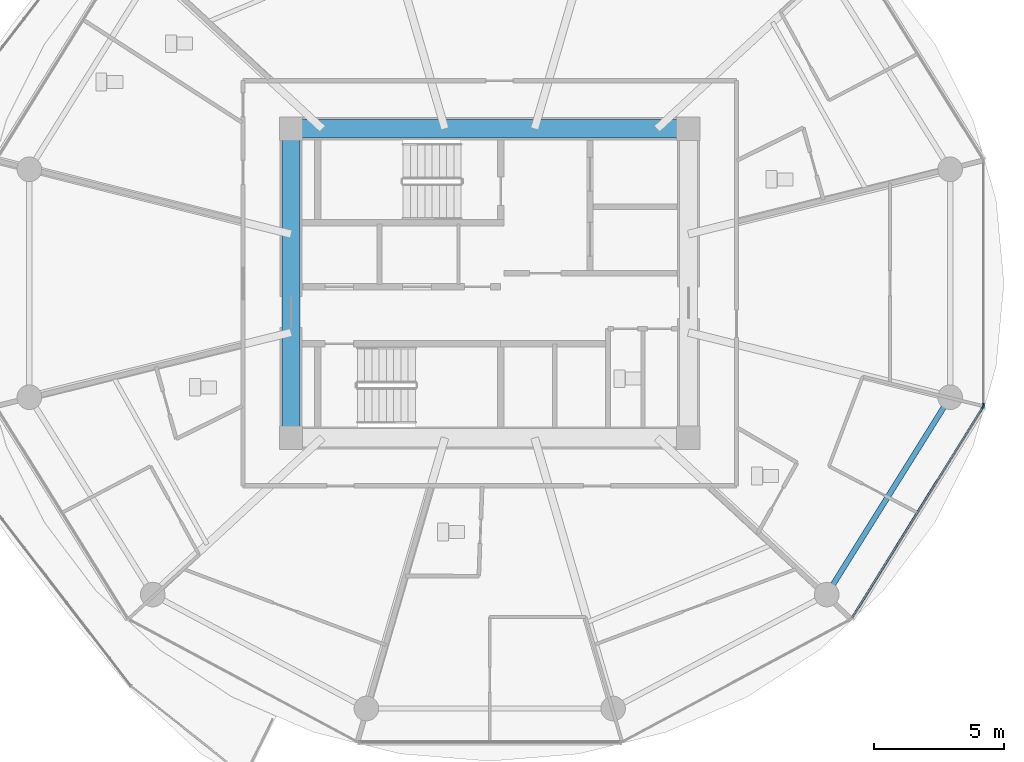
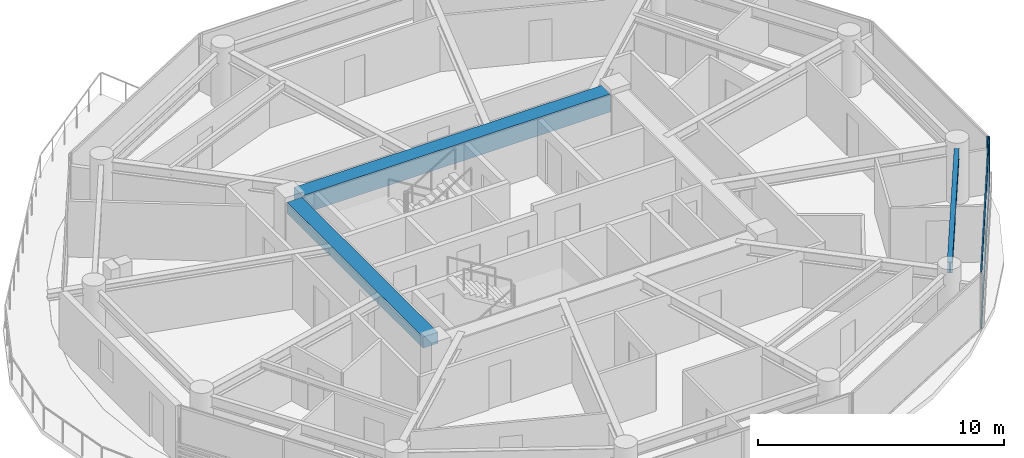
# One storey, part 11 of 26: 4 members, 3 beams, 2 elements without a shape of their own.
"""IFC4 building model written with IfcOpenShell, lengths in metres."""

from ifc_helpers import new_model, si_unit, direction, frame, origin, origin_2d, place, context, subcontext, project, spatial, rectangle, i_section, extrude, source, transform, mapped, material, layer, layer_set, material_profile, profile_set, type_object, type_shapes, element, aggregate, save


model = new_model("IFC4")

# Units and contexts
model_context = context("Model", 3, precision=1e-05, world=origin(), true_north=direction((0.0, 1.0)))
body_context = subcontext(model_context, "Body", "Model", "MODEL_VIEW")
ifc_project = project(units=[si_unit("LENGTHUNIT", "METRE"), si_unit("AREAUNIT", "SQUARE_METRE"), si_unit("VOLUMEUNIT", "CUBIC_METRE"), si_unit("PLANEANGLEUNIT", "RADIAN"), si_unit("MASSUNIT", "GRAM", prefix="KILO")], contexts=[model_context])

# Site, building, storey
site_placement = place(None, origin())
site = spatial("IfcSite", under=ifc_project, at=site_placement, CompositionType="ELEMENT")
building_placement = place(site_placement, origin())
building = spatial("IfcBuilding", under=site, at=building_placement, Name="Norrkilde Senior Care Towers", CompositionType="ELEMENT")
storey_placement = place(building_placement, frame((0.0, 0.0, 67.35009765625)))
storey = spatial("IfcBuildingStorey", under=building, at=storey_placement, Name="L20", CompositionType="ELEMENT", Elevation=67.35009765625)

# Beams
ifc_material_1 = material(Name="Concrete C60/75", Category="concrete")
ifc_material_profile_1 = material_profile(ifc_material_1, rectangle(XDim=0.699951171875, YDim=0.89990234375, at=origin_2d()), Name="RC BM 700x900")
ifc_profile_set_1 = profile_set([ifc_material_profile_1], Name="Concrete C60/75")
beam_type_1 = type_object("IfcBeamType", Name="Core Coupling Girder 700x900", PredefinedType="USERDEFINED", material=ifc_profile_set_1)
shared_shape_1 = source(origin(), body_context, "Body", "SweptSolid", [
    extrude(rectangle(XDim=0.699951171875, YDim=0.89990234375, at=origin_2d()), origin(), (0.0, 0.0, 1.0), 14.43994140625),
])
type_shapes(beam_type_1, [shared_shape_1])
beam_1_placement = place(storey_placement, frame((20.780029296875, 5.949951171875, 2.33984375), z_axis=(1.0, 0.0, 0.0), x_axis=(0.0, 1.0, 0.0)))
element("IfcBeam", 1, at=beam_1_placement, inside=storey, type_object=beam_type_1, Name="L20 Core E N Coupling Girder", ObjectType="GIRDER", PredefinedType="USERDEFINED", context=body_context, shape_type="MappedRepresentation", body=[
    mapped(shared_shape_1, transform((0.0, 0.0, 0.0), x_axis=(1.0, 0.0, 0.0), y_axis=(0.0, 1.0, 0.0), z_axis=(0.0, 0.0, 1.0), scale=1.0)),
])
ifc_material_profile_2 = material_profile(ifc_material_1, rectangle(XDim=0.699951171875, YDim=0.550048828125, at=origin_2d()), Name="RC BM 700x550")
ifc_profile_set_2 = profile_set([ifc_material_profile_2], Name="Concrete C60/75")
beam_type_2 = type_object("IfcBeamType", Name="Core Portal Coupling Beam 700x550", PredefinedType="USERDEFINED", material=ifc_profile_set_2)
shared_shape_2 = source(origin(), body_context, "Body", "SweptSolid", [
    extrude(rectangle(XDim=0.699951171875, YDim=0.550048828125, at=origin_2d()), origin(), (0.0, 0.0, 1.0), 11.0400390625),
])
type_shapes(beam_type_2, [shared_shape_2])
beam_2_placement = place(storey_placement, frame((20.35009765625, -5.52001953125, 2.514892578125), z_axis=(0.0, 1.0, 0.0), x_axis=(-1.0, 0.0, 0.0)))
element("IfcBeam", 2, at=beam_2_placement, inside=storey, type_object=beam_type_2, Name="L20 Core E W Coupling Girder", ObjectType="GIRDER", PredefinedType="USERDEFINED", context=body_context, shape_type="MappedRepresentation", body=[
    mapped(shared_shape_2, transform((0.0, 0.0, 0.0), x_axis=(1.0, 0.0, 0.0), y_axis=(0.0, 1.0, 0.0), z_axis=(0.0, 0.0, 1.0), scale=1.0)),
])
ifc_material_2 = material(Name="Steel S355", Category="steel")
ifc_material_profile_3 = material_profile(ifc_material_2, i_section(OverallWidth=0.2099609375, OverallDepth=0.550048828125, WebThickness=0.010986328125, FlangeThickness=0.01708984375, FilletRadius=0.02392578125, at=origin_2d()), Name="IPE 550")
ifc_profile_set_3 = profile_set([ifc_material_profile_3], Name="Steel S355")
beam_type_3 = type_object("IfcBeamType", Name="Perimeter Ring Spandrel Z1 IPE550", PredefinedType="SPANDREL", material=ifc_profile_set_3)
shared_shape_3 = source(origin(), body_context, "Body", "SweptSolid", [
    extrude(i_section(OverallWidth=0.2099609375, OverallDepth=0.550048828125, WebThickness=0.010986328125, FlangeThickness=0.01708984375, FilletRadius=0.02392578125, at=origin_2d()), origin(), (0.0, 0.0, 1.0), 8.090576171875),
])
type_shapes(beam_type_3, [shared_shape_3])
beam_3_placement = place(storey_placement, frame((41.2060546875, -11.61669921875, 2.514892578125), z_axis=(0.530004364821, 0.84799491347, 0.0), x_axis=(-0.84799491347, 0.530004364821, 0.0)))
element("IfcBeam", 3, at=beam_3_placement, inside=storey, type_object=beam_type_3, Name="L20 Drum E Perimeter Spandrel 11", PredefinedType="SPANDREL", context=body_context, shape_type="MappedRepresentation", body=[
    mapped(shared_shape_3, transform((0.0, 0.0, 0.0), x_axis=(1.0, 0.0, 0.0), y_axis=(0.0, 1.0, 0.0), z_axis=(0.0, 0.0, 1.0), scale=1.0)),
])

# Curtain wall, member
ifc_material_3 = material(Name="Triple Low-E Insulated Glazing", Category="glass")
ifc_layer = layer(ifc_material_3, 0.199951171875)
ifc_layer_set = layer_set([ifc_layer], Name="Triple Low-E Insulated Glazing")
curtain_wall_type = type_object("IfcCurtainWallType", Name="CW2 Zone 1 Memory Care Curtain Wall", PredefinedType="NOTDEFINED", material=ifc_layer_set)
curtain_wall_1_placement = place(storey_placement, origin())
curtain_wall_1 = element("IfcCurtainWall", 4, at=curtain_wall_1_placement, inside=storey, type_object=curtain_wall_type, Name="L20 Drum E Curtain Wall 10", PredefinedType="NOTDEFINED")
ifc_material_4 = material(Name="Anodised Aluminium", Category="aluminium")
ifc_material_profile_4 = material_profile(ifc_material_4, rectangle(XDim=0.06494140625, YDim=0.159912109375, at=origin_2d()), Name="ALU MULL 65x160")
ifc_profile_set_4 = profile_set([ifc_material_profile_4], Name="Anodised Aluminium")
member_type_1 = type_object("IfcMemberType", Name="Curtain Wall Mullion Z1-Z2 65x160", PredefinedType="MULLION", material=ifc_profile_set_4)
shared_shape_4 = source(origin(), body_context, "Body", "SweptSolid", [
    extrude(rectangle(XDim=0.06494140625, YDim=0.159912109375, at=origin_2d()), origin(), (0.0, 0.0, 1.0), 2.789794921875),
])
type_shapes(member_type_1, [shared_shape_4])
member_1_placement = place(storey_placement, frame((46.9921875, -4.7587890625, 0.0), z_axis=(0.0, 0.0, 1.0), x_axis=(0.849305943117, -0.527900951871, 0.0)))
member_1 = element("IfcMember", 5, at=member_1_placement, type_object=member_type_1, Name="CW-2 mullion 1", PredefinedType="MULLION", context=body_context, shape_type="MappedRepresentation", body=[
    mapped(shared_shape_4, transform((0.0, 0.0, 0.0), x_axis=(1.0, 0.0, 0.0), y_axis=(0.0, 1.0, 0.0), z_axis=(0.0, 0.0, 1.0), scale=1.0)),
])

curtain_wall_2_placement = place(storey_placement, origin())
curtain_wall_2 = element("IfcCurtainWall", 6, at=curtain_wall_2_placement, inside=storey, type_object=curtain_wall_type, Name="L20 Drum E Curtain Wall 11", PredefinedType="NOTDEFINED")
member_2_placement = place(storey_placement, frame((47.009521484375, -4.69873046875, 0.0), z_axis=(0.0, 0.0, 1.0), x_axis=(1.0, 0.0, 0.0)))
member_2 = element("IfcMember", 7, at=member_2_placement, type_object=member_type_1, Name="CW-2 mullion 2", PredefinedType="MULLION", context=body_context, shape_type="MappedRepresentation", body=[
    mapped(shared_shape_4, transform((0.0, 0.0, 0.0), x_axis=(1.0, 0.0, 0.0), y_axis=(0.0, 1.0, 0.0), z_axis=(0.0, 0.0, 1.0), scale=1.0)),
])
aggregate(curtain_wall_2, [member_2])

# Member
ifc_material_profile_5 = material_profile(ifc_material_4, rectangle(XDim=0.06005859375, YDim=0.1201171875, at=origin_2d()), Name="ALU TRAN 60x120")
ifc_profile_set_5 = profile_set([ifc_material_profile_5], Name="Anodised Aluminium")
member_type_2 = type_object("IfcMemberType", Name="Curtain Wall Transom Typical 60x120", PredefinedType="USERDEFINED", material=ifc_profile_set_5)
shared_shape_5 = source(origin(), body_context, "Body", "SweptSolid", [
    extrude(rectangle(XDim=0.06005859375, YDim=0.1201171875, at=origin_2d()), origin(), (0.0, 0.0, 1.0), 9.5185546875),
])
type_shapes(member_type_2, [shared_shape_5])
member_3_placement = place(storey_placement, frame((46.97509765625, -4.786376953125, 0.02978515625), z_axis=(-0.527901620669, -0.849305527413, 0.0), x_axis=(0.849305527413, -0.527901620669, 0.0)))
member_3 = element("IfcMember", 8, at=member_3_placement, type_object=member_type_2, Name="CW-2 transom 1.1", ObjectType="TRANSOM", PredefinedType="USERDEFINED", context=body_context, shape_type="MappedRepresentation", body=[
    mapped(shared_shape_5, transform((0.0, 0.0, 0.0), x_axis=(1.0, 0.0, 0.0), y_axis=(0.0, 1.0, 0.0), z_axis=(0.0, 0.0, 1.0), scale=1.0)),
])

member_4_placement = place(storey_placement, frame((46.97509765625, -4.786376953125, 2.760009765625), z_axis=(-0.527901620669, -0.849305527413, 0.0), x_axis=(0.849305527413, -0.527901620669, 0.0)))
member_4 = element("IfcMember", 9, at=member_4_placement, type_object=member_type_2, Name="CW-2 transom 1.2", ObjectType="TRANSOM", PredefinedType="USERDEFINED", context=body_context, shape_type="MappedRepresentation", body=[
    mapped(shared_shape_5, transform((0.0, 0.0, 0.0), x_axis=(1.0, 0.0, 0.0), y_axis=(0.0, 1.0, 0.0), z_axis=(0.0, 0.0, 1.0), scale=1.0)),
])

aggregate(curtain_wall_1, [member_1, member_3, member_4])

save(model, "model.ifc")
